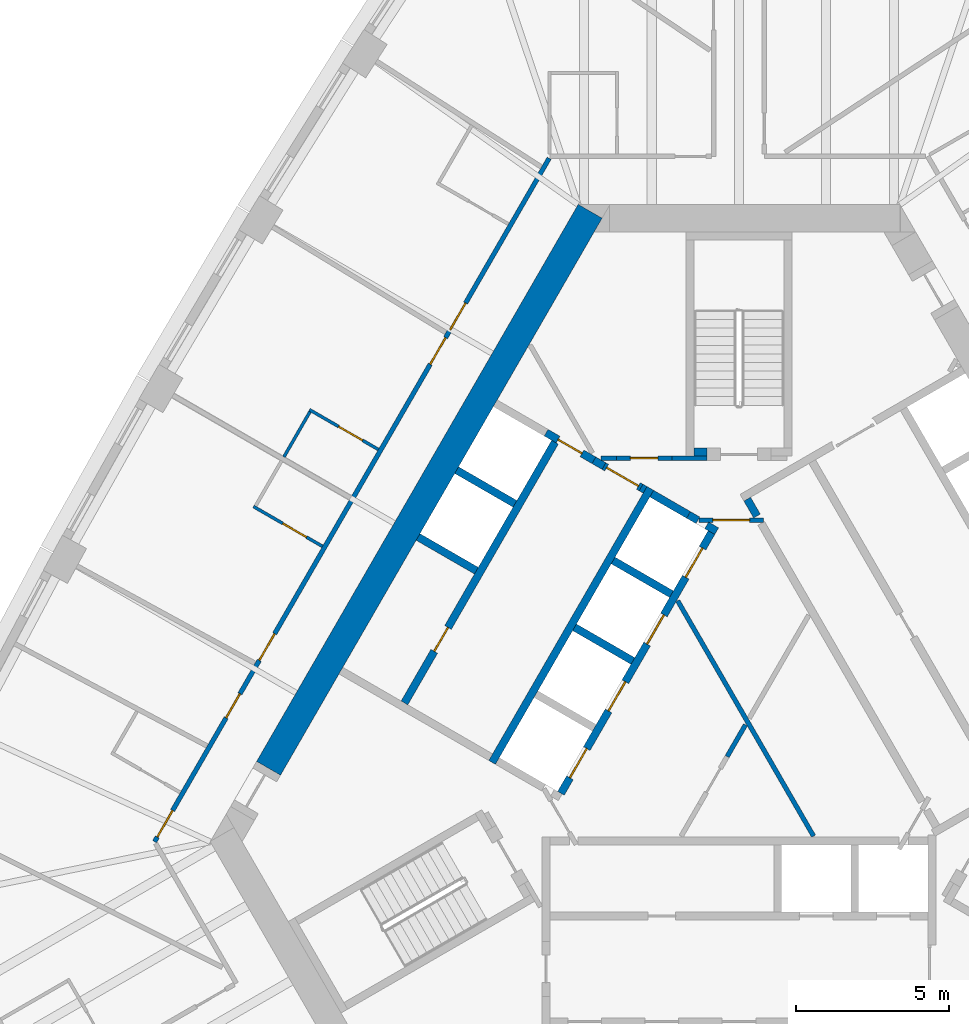
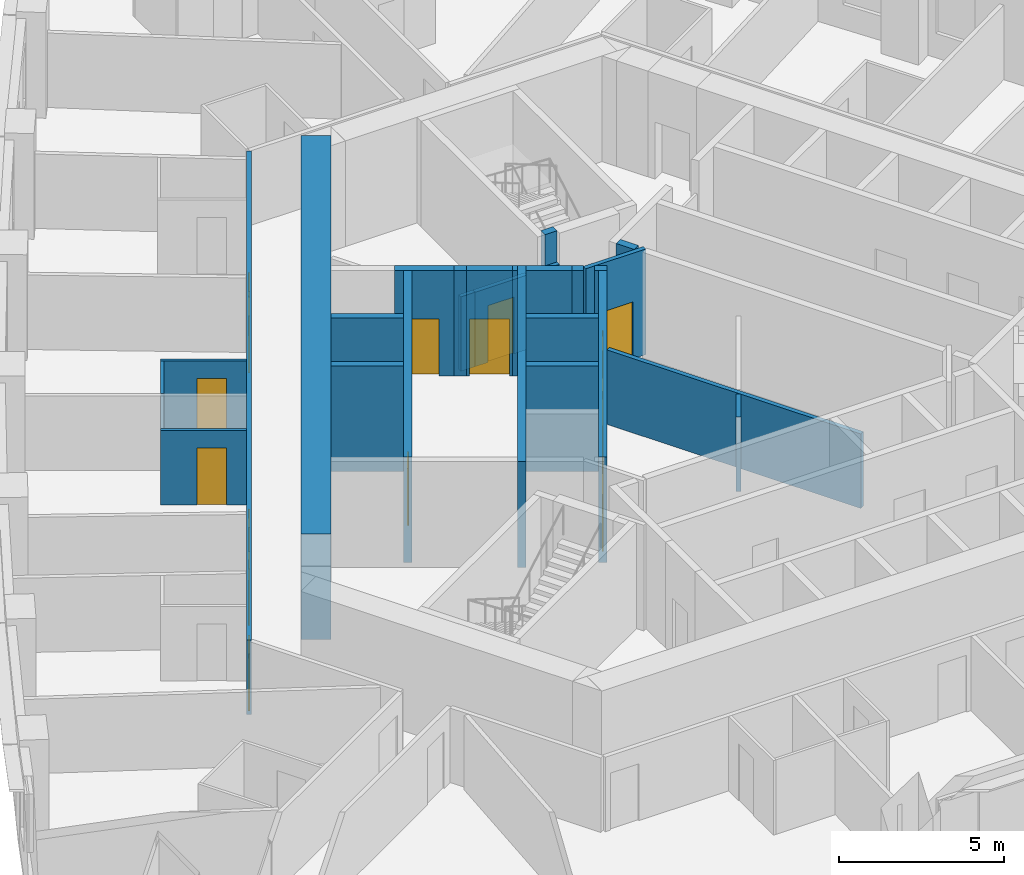
# One storey, part 6 of 13: 27 walls, 16 doors, 16 openings.
"""IFC4 building model written with IfcOpenShell, lengths in metres."""

import ifcopenshell
import ifcopenshell.guid

model = None  # the IFC model being written
_history = None  # IfcOwnerHistory: only IFC2X3 demands one
_inside = {}  # id of a spatial element -> (the spatial element, [elements in it])
_under = {}  # id of a project, library or spatial element -> (it, [spatial elements below it])
_declared = {}  # id of a project -> (the project, [libraries it declares])
_typed = {}  # id of a type object -> (the type object, [elements of that type])
_made_of = {}  # id of a material, layer set ... -> (it, [elements and type objects made of it])


def new_model(schema):
    """Start an empty IFC model of exactly this schema.

    Asked for "IFC4X3", IfcOpenShell would pick the latest addendum, in which some entities
    have other attributes; the version numbers below select the first issue.
    IFC2X3 requires an IfcOwnerHistory on every rooted entity: one is made here for all.
    """
    global model, _history
    if schema == "IFC4X3":
        model = ifcopenshell.file(schema_version=(4, 3, 0, 0))
    else:
        model = ifcopenshell.file(schema=schema)
    _inside.clear()
    _under.clear()
    _declared.clear()
    _typed.clear()
    _made_of.clear()
    _history = None
    if model.schema == "IFC2X3":
        org = make("IfcOrganization", Name="unknown")
        user = make(
            "IfcPersonAndOrganization",
            ThePerson=make("IfcPerson", FamilyName="unknown"),
            TheOrganization=org,
        )
        app = make(
            "IfcApplication",
            ApplicationDeveloper=org,
            Version="unknown",
            ApplicationFullName="unknown",
            ApplicationIdentifier="unknown",
        )
        _history = make(
            "IfcOwnerHistory",
            OwningUser=user,
            OwningApplication=app,
            ChangeAction="ADDED",
            CreationDate=0,
        )
    return model


def make(cls, **values):
    """One entity of the class cls with the attributes given. An attribute that is None is left unset."""
    return model.create_entity(
        cls, **{name: value for name, value in values.items() if value is not None}
    )


def rooted(cls, **values):
    """An entity with a GlobalId (a new one), such as an element, a storey or a relation."""
    return make(cls, GlobalId=ifcopenshell.guid.new(), OwnerHistory=_history, **values)


def si_unit(unit_type, name, prefix=None):
    """IfcSIUnit, for example si_unit("LENGTHUNIT", "METRE", prefix="MILLI")."""
    return make("IfcSIUnit", UnitType=unit_type, Prefix=prefix, Name=name)


def assignment(units):
    """IfcUnitAssignment: the units of a project."""
    return None if units is None else make("IfcUnitAssignment", Units=units)


def point(xyz):
    """IfcCartesianPoint."""
    return None if xyz is None else make("IfcCartesianPoint", Coordinates=xyz)


def direction(xyz):
    """IfcDirection."""
    return None if xyz is None else make("IfcDirection", DirectionRatios=xyz)


def frame(location, z_axis=None, x_axis=None):
    """IfcAxis2Placement3D, a coordinate frame: its origin and axes. An axis left out is left unset."""
    return make(
        "IfcAxis2Placement3D",
        Location=point(location),
        Axis=direction(z_axis),
        RefDirection=direction(x_axis),
    )


def frame_2d(location, x_axis=None):
    """IfcAxis2Placement2D, a coordinate frame in the plane: its origin and x axis."""
    return make(
        "IfcAxis2Placement2D", Location=point(location), RefDirection=direction(x_axis)
    )


def origin():
    """The frame at (0, 0, 0) with its axes left unset."""
    return frame((0.0, 0.0, 0.0))


def place(relative_to, where):
    """IfcLocalPlacement: puts the frame where relative to a parent placement (None: the world)."""
    return make(
        "IfcLocalPlacement", PlacementRelTo=relative_to, RelativePlacement=where
    )


def context(
    kind, dimensions, precision=None, world=None, true_north=None, identifier=None
):
    """IfcGeometricRepresentationContext, for example the 3D "Model" context."""
    return make(
        "IfcGeometricRepresentationContext",
        ContextIdentifier=identifier,
        ContextType=kind,
        CoordinateSpaceDimension=dimensions,
        Precision=precision,
        WorldCoordinateSystem=world,
        TrueNorth=true_north,
    )


def subcontext(parent, identifier, kind, view, scale=None):
    """IfcGeometricRepresentationSubContext, for example "Body" below "Model"."""
    return make(
        "IfcGeometricRepresentationSubContext",
        ContextIdentifier=identifier,
        ContextType=kind,
        ParentContext=parent,
        TargetScale=scale,
        TargetView=view,
    )


def project(units=None, contexts=None):
    """IfcProject with its units and contexts."""
    return rooted(
        "IfcProject",
        Name="project",
        RepresentationContexts=contexts,
        UnitsInContext=assignment(units),
    )


def spatial(cls, under=None, at=None, **own):
    """A site, building, storey or space (cls), placed at a placement, below another one or the project."""
    s = rooted(cls, ObjectPlacement=at, **own)
    if under is not None:
        _under.setdefault(under.id(), (under, []))[1].append(s)
    return s


def polyline(points):
    """IfcPolyline through the points."""
    return make("IfcPolyline", Points=[point(p) for p in points])


def profile(cls, at=None, kind="AREA", **sizes):
    """A parametric profile (cls). Its sizes go by their IFC names, for example OverallWidth=200.0."""
    return make(cls, ProfileType=kind, Position=at, **sizes)


def rectangle(**sizes):
    """IfcRectangleProfileDef."""
    return profile("IfcRectangleProfileDef", **sizes)


def outline(outer, holes=None, kind="AREA"):
    """IfcArbitraryClosedProfileDef: a profile drawn as a closed curve; with holes, ...WithVoids."""
    if holes is None:
        return make("IfcArbitraryClosedProfileDef", ProfileType=kind, OuterCurve=outer)
    return make(
        "IfcArbitraryProfileDefWithVoids",
        ProfileType=kind,
        OuterCurve=outer,
        InnerCurves=holes,
    )


def extrude(swept, where, along, depth):
    """IfcExtrudedAreaSolid: the profile swept, set in the frame where, extruded along a direction by depth."""
    return make(
        "IfcExtrudedAreaSolid",
        SweptArea=swept,
        Position=where,
        ExtrudedDirection=direction(along),
        Depth=depth,
    )


def shape(context_of_items, identifier, shape_type, items):
    """IfcShapeRepresentation: the items that make up one representation, for example the "Body"."""
    return make(
        "IfcShapeRepresentation",
        ContextOfItems=context_of_items,
        RepresentationIdentifier=identifier,
        RepresentationType=shape_type,
        Items=items,
    )


def material(Name=None, Category=None):
    """IfcMaterial."""
    return make("IfcMaterial", Name=Name, Category=Category)


def layer(
    of_material, thickness, ventilated=None, Name=None, Category=None, Priority=None
):
    """IfcMaterialLayer: one layer of a wall or slab, of a material (None: an air gap)."""
    return make(
        "IfcMaterialLayer",
        Material=of_material,
        LayerThickness=thickness,
        IsVentilated=ventilated,
        Name=Name,
        Category=Category,
        Priority=Priority,
    )


def layer_set(layers, Name=None):
    """IfcMaterialLayerSet."""
    return make("IfcMaterialLayerSet", MaterialLayers=layers, LayerSetName=Name)


def made_of(thing, what):
    """Note that an element or type object is made of a material, layer set ...; save() writes the relation."""
    if what is not None:
        _made_of.setdefault(what.id(), (what, []))[1].append(thing)
    return thing


def type_object(cls, material=None, **own):
    """A type object (cls), such as IfcWallType, which elements share."""
    return made_of(rooted(cls, **own), material)


def element(
    cls,
    number,
    at=None,
    inside=None,
    cuts=None,
    type_object=None,
    material=None,
    context=None,
    identifier="Body",
    shape_type=None,
    held_by="IfcProductDefinitionShape",
    body=None,
    shapes=None,
    **own,
):
    """One element of the class cls, such as IfcWall. Its Tag is "e" and its number.

    at: its placement. inside: the storey or other place that contains it. cuts: it is an
    opening in that element (IfcRelVoidsElement). A single representation is given by context,
    identifier, shape_type and body (its items); several are given by shapes. held_by: the class
    of the entity that holds the representations. save() writes the other relations.
    """
    e = rooted(cls, Tag="e%d" % number, ObjectPlacement=at, **own)
    if body is not None:
        shapes = [shape(context, identifier, shape_type, body)]
    if shapes is not None:
        e.Representation = make(held_by, Representations=shapes)
    if inside is not None:
        _inside.setdefault(inside.id(), (inside, []))[1].append(e)
    if cuts is not None:
        rooted(
            "IfcRelVoidsElement", RelatingBuildingElement=cuts, RelatedOpeningElement=e
        )
    if type_object is not None:
        _typed.setdefault(type_object.id(), (type_object, []))[1].append(e)
    return made_of(e, material)


def fill(opening, filler):
    """IfcRelFillsElement: the door or window that sits in an opening."""
    return rooted(
        "IfcRelFillsElement",
        RelatingOpeningElement=opening,
        RelatedBuildingElement=filler,
    )


def aggregate(whole, parts):
    """IfcRelAggregates: a whole, such as a stair, and the parts it consists of."""
    return rooted("IfcRelAggregates", RelatingObject=whole, RelatedObjects=parts)


def save(model, path):
    """Write the relations noted so far, then the file.

    IfcRelAggregates (storeys below a building ...), IfcRelContainedInSpatialStructure (elements
    in a storey), IfcRelDefinesByType, IfcRelAssociatesMaterial and IfcRelDeclares: one each for
    every whole, place, type object, material and project.
    """
    for whole, parts in _under.values():
        aggregate(whole, parts)
    for where, things in _inside.values():
        rooted(
            "IfcRelContainedInSpatialStructure",
            RelatedElements=things,
            RelatingStructure=where,
        )
    for kind, things in _typed.values():
        rooted("IfcRelDefinesByType", RelatedObjects=things, RelatingType=kind)
    for what, things in _made_of.values():
        rooted("IfcRelAssociatesMaterial", RelatedObjects=things, RelatingMaterial=what)
    for by, libraries in _declared.values():
        rooted("IfcRelDeclares", RelatingContext=by, RelatedDefinitions=libraries)
    model.write(path)


model = new_model("IFC4")

# Units and contexts
model_context = context("Model", 3, precision=1e-05, world=origin(), true_north=direction((0.0, 1.0)))
body_context = subcontext(model_context, "Body", "Model", "MODEL_VIEW")
ifc_project = project(units=[si_unit("LENGTHUNIT", "METRE"), si_unit("AREAUNIT", "SQUARE_METRE"), si_unit("VOLUMEUNIT", "CUBIC_METRE"), si_unit("PLANEANGLEUNIT", "RADIAN"), si_unit("MASSUNIT", "GRAM", prefix="KILO")], contexts=[model_context])

# Site, building, storey
site_placement = place(None, origin())
site = spatial("IfcSite", under=ifc_project, at=site_placement, CompositionType="ELEMENT")
building_placement = place(site_placement, origin())
building = spatial("IfcBuilding", under=site, at=building_placement, Name="Mestral Congress Tower", CompositionType="ELEMENT")
storey_placement = place(building_placement, frame((0.0, 0.0, 114.89990234375)))
storey = spatial("IfcBuildingStorey", under=building, at=storey_placement, Name="L27", CompositionType="ELEMENT", Elevation=114.89990234375)

# Walls
ifc_material_1 = material(Name="Fire-rated board partition")
ifc_layer_1 = layer(ifc_material_1, 0.14990234375)
ifc_layer_set_1 = layer_set([ifc_layer_1], Name="Fire-rated board partition")
wall_type_1 = type_object("IfcWallType", Name="Core partition 150", PredefinedType="PARTITIONING", material=ifc_layer_set_1)
wall_1_placement = place(storey_placement, frame((-2.195068359375, 8.62548828125, 0.0), z_axis=(0.0, 0.0, 1.0), x_axis=(1.0, 0.0, 0.0)))
element("IfcWall", 1, at=wall_1_placement, inside=storey, type_object=wall_type_1, Name="L27 core wall", PredefinedType="PARTITIONING", context=body_context, shape_type="SweptSolid", body=[
    extrude(rectangle(XDim=1.14501953125, YDim=0.14990234375, at=frame_2d((0.572509765625, 0.0))), origin(), (0.0, 0.0, 1.0), 2.75),
])
wall_2_placement = place(storey_placement, frame((-4.497802734375, 8.625244140625, 0.0), z_axis=(0.0, 0.0, 1.0), x_axis=(1.0, 0.0, 0.0)))
element("IfcWall", 2, at=wall_2_placement, inside=storey, type_object=wall_type_1, Name="L27 core wall", PredefinedType="PARTITIONING", context=body_context, shape_type="SweptSolid", body=[
    extrude(rectangle(XDim=0.50244140625, YDim=0.14990234375, at=frame_2d((0.251220703125, 0.0))), origin(), (0.0, 0.0, 1.0), 2.75),
])
wall_3_placement = place(storey_placement, frame((2.435302734375, -3.71826171875, 0.0), z_axis=(0.0, 0.0, 1.0), x_axis=(-0.499985176046, 0.866033962229, 0.0)))
element("IfcWall", 3, at=wall_3_placement, inside=storey, type_object=wall_type_1, Name="L27 core wall", PredefinedType="PARTITIONING", context=body_context, shape_type="SweptSolid", body=[
    extrude(rectangle(XDim=8.875244140625, YDim=0.14990234375, at=frame_2d((4.4375, 0.0))), origin(), (0.0, 0.0, 1.0), 2.75),
])
wall_4_placement = place(storey_placement, frame((-0.38720703125, -1.12060546875, 0.0), z_axis=(0.0, 0.0, 1.0), x_axis=(0.500057179532, 0.865992388649, 0.0)))
element("IfcWall", 4, at=wall_4_placement, inside=storey, type_object=wall_type_1, Name="L27 core wall", PredefinedType="PARTITIONING", context=body_context, shape_type="SweptSolid", body=[
    extrude(rectangle(XDim=1.199462890625, YDim=0.14990234375, at=frame_2d((0.599609375, 0.0))), origin(), (0.0, 0.0, 1.0), 2.75),
])

# Wall, opening, door
wall_5_placement = place(storey_placement, frame((-2.1953125, 8.625, 0.0), z_axis=(0.0, 0.0, 1.0), x_axis=(-1.0, 0.0, 0.0)))
wall_5 = element("IfcWall", 5, at=wall_5_placement, inside=storey, type_object=wall_type_1, Name="L27 door wall", PredefinedType="PARTITIONING", context=body_context, shape_type="SweptSolid", body=[
    extrude(rectangle(XDim=1.7998046875, YDim=0.14990234375, at=frame_2d((0.89990234375, 0.0))), origin(), (0.0, 0.0, 1.0), 2.75),
])
opening_1_placement = place(wall_5_placement, frame((0.449951171875, 0.0, 0.0)))
opening_1 = element("IfcOpeningElement", 6, at=opening_1_placement, cuts=wall_5, Name="Opening TD2", PredefinedType="OPENING", context=body_context, shape_type="SweptSolid", body=[
    extrude(rectangle(XDim=0.89990234375, YDim=2.10009765625, at=frame_2d((0.449951171875, 1.050048828125))), frame((0.0, 0.0849609375, 0.0), z_axis=(0.0, -1.0, 0.0), x_axis=(1.0, 0.0, 0.0)), (0.0, 0.0, 1.0), 0.169921875),
])
ifc_material_2 = material(Name="Fire-rated steel door set", Category="steel")
door_type_1 = type_object("IfcDoorType", Name="Core door SR 900x2100", OperationType="SINGLE_SWING_LEFT", PredefinedType="DOOR", material=ifc_material_2)
door_1_placement = place(opening_1_placement, origin())
door_1 = element("IfcDoor", 7, at=door_1_placement, inside=storey, type_object=door_type_1, Name="Door TD2", OperationType="SINGLE_SWING_LEFT", OverallHeight=2.10009765625, OverallWidth=0.89990234375, PredefinedType="DOOR", context=body_context, shape_type="SweptSolid", body=[
    extrude(rectangle(XDim=0.89990234375, YDim=2.10009765625, at=frame_2d((0.449951171875, 1.050048828125))), frame((0.0, 0.02490234375, 0.0), z_axis=(0.0, -1.0, 0.0), x_axis=(1.0, 0.0, 0.0)), (0.0, 0.0, 1.0), 0.050048828125),
])
fill(opening_1, door_1)

# Wall
ifc_material_3 = material(Name="Concrete C60/75", Category="concrete")
ifc_layer_2 = layer(ifc_material_3, 0.89990234375)
ifc_layer_set_2 = layer_set([ifc_layer_2], Name="Concrete C60/75")
wall_type_2 = type_object("IfcWallType", Name="Core wall RC 900", PredefinedType="SOLIDWALL", material=ifc_layer_set_2)
wall_6_placement = place(storey_placement, frame((-15.359619140625, -1.50341796875, 0.0), z_axis=(0.0, 0.0, 1.0), x_axis=(0.50000389221, 0.866023156604, 0.0)))
element("IfcWall", 8, at=wall_6_placement, inside=storey, type_object=wall_type_2, Name="L27 core wall", PredefinedType="SOLIDWALL", context=body_context, shape_type="SweptSolid", body=[
    extrude(rectangle(XDim=21.000244140625, YDim=0.89990234375, at=frame_2d((10.5, 0.0))), origin(), (0.0, 0.0, 1.0), 3.900146484375),
])

# Wall, opening, door
ifc_material_4 = material(Name="Gypsum board partition on metal studs with mineral wool", Category="composite")
ifc_layer_3 = layer(ifc_material_4, 0.10009765625)
ifc_layer_set_3 = layer_set([ifc_layer_3], Name="Gypsum board partition on metal studs with mineral wool")
wall_type_3 = type_object("IfcWallType", Name="Hotel partition wall 100", PredefinedType="PARTITIONING", material=ifc_layer_set_3)
wall_7_placement = place(storey_placement, frame((-11.7744140625, 8.90625, 0.0), z_axis=(0.0, 0.0, 1.0), x_axis=(-0.865997922154, 0.500047596559, 0.0)))
wall_7 = element("IfcWall", 9, at=wall_7_placement, inside=storey, type_object=wall_type_3, Name="L27-h-pod20a", PredefinedType="PARTITIONING", context=body_context, shape_type="SweptSolid", body=[
    extrude(rectangle(XDim=2.599853515625, YDim=0.10009765625, at=frame_2d((1.2998046875, 0.0))), origin(), (0.0, 0.0, 1.0), 2.75),
])
opening_2_placement = place(wall_7_placement, frame((0.60009765625, 0.0, 0.0)))
opening_2 = element("IfcOpeningElement", 10, at=opening_2_placement, cuts=wall_7, Name="Opening H08-036", PredefinedType="OPENING", context=body_context, shape_type="SweptSolid", body=[
    extrude(rectangle(XDim=0.89990234375, YDim=2.10009765625, at=frame_2d((0.449951171875, 1.050048828125))), frame((0.0, 0.06005859375, 0.0), z_axis=(0.0, -1.0, 0.0), x_axis=(1.0, 0.0, 0.0)), (0.0, 0.0, 1.0), 0.1201171875),
])
ifc_material_5 = material(Name="Timber veneer door leaf in timber frame", Category="wood")
door_type_2 = type_object("IfcDoorType", Name="Bathroom door 900", OperationType="SINGLE_SWING_LEFT", PredefinedType="DOOR", material=ifc_material_5)
door_2_placement = place(opening_2_placement, origin())
door_2 = element("IfcDoor", 11, at=door_2_placement, inside=storey, type_object=door_type_2, Name="L27-h-d036", OperationType="SINGLE_SWING_LEFT", OverallHeight=2.10009765625, OverallWidth=0.89990234375, PredefinedType="DOOR", context=body_context, shape_type="SweptSolid", body=[
    extrude(rectangle(XDim=0.89990234375, YDim=2.10009765625, at=frame_2d((0.449951171875, 1.050048828125))), frame((0.0, 0.02490234375, 0.0), z_axis=(0.0, -1.0, 0.0), x_axis=(1.0, 0.0, 0.0)), (0.0, 0.0, 1.0), 0.050048828125),
])
fill(opening_2, door_2)

# Wall
wall_8_placement = place(storey_placement, frame((-14.0078125, 10.137939453125, 0.0), z_axis=(0.0, 0.0, 1.0), x_axis=(-0.499892348375, -0.866087547558, 0.0)))
element("IfcWall", 12, at=wall_8_placement, inside=storey, type_object=wall_type_3, Name="L27-h-pod20b", PredefinedType="PARTITIONING", context=body_context, shape_type="SweptSolid", body=[
    extrude(rectangle(XDim=1.699951171875, YDim=0.10009765625, at=frame_2d((0.85009765625, 0.0))), origin(), (0.0, 0.0, 1.0), 2.75),
])

# Wall, opening, door
wall_9_placement = place(storey_placement, frame((-15.851806640625, 7.0439453125, 0.0), z_axis=(0.0, 0.0, 1.0), x_axis=(0.866021400173, -0.500006934395, 0.0)))
wall_9 = element("IfcWall", 13, at=wall_9_placement, inside=storey, type_object=wall_type_3, Name="L27-h-pod21a", PredefinedType="PARTITIONING", context=body_context, shape_type="SweptSolid", body=[
    extrude(rectangle(XDim=2.60009765625, YDim=0.10009765625, at=frame_2d((1.300048828125, 0.0))), origin(), (0.0, 0.0, 1.0), 2.75),
])
opening_3_placement = place(wall_9_placement, frame((1.10009765625, 0.0, 0.0)))
opening_3 = element("IfcOpeningElement", 14, at=opening_3_placement, cuts=wall_9, Name="Opening H08-038", PredefinedType="OPENING", context=body_context, shape_type="SweptSolid", body=[
    extrude(rectangle(XDim=0.89990234375, YDim=2.10009765625, at=frame_2d((0.449951171875, 1.050048828125))), frame((0.0, 0.06005859375, 0.0), z_axis=(0.0, -1.0, 0.0), x_axis=(1.0, 0.0, 0.0)), (0.0, 0.0, 1.0), 0.1201171875),
])
door_3_placement = place(opening_3_placement, origin())
door_3 = element("IfcDoor", 15, at=door_3_placement, inside=storey, type_object=door_type_2, Name="L27-h-d038", OperationType="SINGLE_SWING_RIGHT", OverallHeight=2.10009765625, OverallWidth=0.89990234375, PredefinedType="DOOR", context=body_context, shape_type="SweptSolid", body=[
    extrude(rectangle(XDim=0.89990234375, YDim=2.10009765625, at=frame_2d((0.449951171875, 1.050048828125))), frame((0.0, 0.02490234375, 0.0), z_axis=(0.0, -1.0, 0.0), x_axis=(1.0, 0.0, 0.0)), (0.0, 0.0, 1.0), 0.050048828125),
])
fill(opening_3, door_3)

# Wall, openings, doors
ifc_layer_4 = layer(ifc_material_4, 0.14990234375)
ifc_layer_set_4 = layer_set([ifc_layer_4], Name="Gypsum board partition on metal studs with mineral wool")
wall_type_4 = type_object("IfcWallType", Name="Hotel partition wall 150", PredefinedType="PARTITIONING", material=ifc_layer_set_4)
wall_10_placement = place(storey_placement, frame((-19.081298828125, -3.89990234375, 0.0), z_axis=(0.0, 0.0, 1.0), x_axis=(0.499998313975, 0.866026377209, 0.0)))
wall_10 = element("IfcWall", 16, at=wall_10_placement, inside=storey, type_object=wall_type_4, Name="L27-h-cw08", PredefinedType="PARTITIONING", context=body_context, shape_type="SweptSolid", body=[
    extrude(rectangle(XDim=25.76611328125, YDim=0.14990234375, at=frame_2d((12.883056640625, 0.0))), origin(), (0.0, 0.0, 1.0), 2.75),
])
opening_4_placement = place(wall_10_placement, frame((19.30615234375, 0.0, 0.0)))
opening_4 = element("IfcOpeningElement", 17, at=opening_4_placement, cuts=wall_10, Name="Opening H08-033", PredefinedType="OPENING", context=body_context, shape_type="SweptSolid", body=[
    extrude(rectangle(XDim=1.0, YDim=2.10009765625, at=frame_2d((0.5, 1.050048828125))), frame((0.0, 0.0849609375, 0.0), z_axis=(0.0, -1.0, 0.0), x_axis=(1.0, 0.0, 0.0)), (0.0, 0.0, 1.0), 0.169921875),
])
opening_5_placement = place(wall_10_placement, frame((17.99951171875, 0.0, 0.0)))
opening_5 = element("IfcOpeningElement", 18, at=opening_5_placement, cuts=wall_10, Name="Opening H08-035", PredefinedType="OPENING", context=body_context, shape_type="SweptSolid", body=[
    extrude(rectangle(XDim=1.0, YDim=2.10009765625, at=frame_2d((0.5, 1.050048828125))), frame((0.0, 0.0849609375, 0.0), z_axis=(0.0, -1.0, 0.0), x_axis=(1.0, 0.0, 0.0)), (0.0, 0.0, 1.0), 0.169921875),
])
opening_6_placement = place(wall_10_placement, frame((6.837890625, 0.0, 0.0)))
opening_6 = element("IfcOpeningElement", 19, at=opening_6_placement, cuts=wall_10, Name="Opening H08-037", PredefinedType="OPENING", context=body_context, shape_type="SweptSolid", body=[
    extrude(rectangle(XDim=1.0, YDim=2.10009765625, at=frame_2d((0.5, 1.050048828125))), frame((0.0, 0.0849609375, 0.0), z_axis=(0.0, -1.0, 0.0), x_axis=(1.0, 0.0, 0.0)), (0.0, 0.0, 1.0), 0.169921875),
])
opening_7_placement = place(wall_10_placement, frame((4.674072265625, 0.0, 0.0)))
opening_7 = element("IfcOpeningElement", 20, at=opening_7_placement, cuts=wall_10, Name="Opening H08-039", PredefinedType="OPENING", context=body_context, shape_type="SweptSolid", body=[
    extrude(rectangle(XDim=0.89990234375, YDim=2.10009765625, at=frame_2d((0.449951171875, 1.050048828125))), frame((0.0, 0.0849609375, 0.0), z_axis=(0.0, -1.0, 0.0), x_axis=(1.0, 0.0, 0.0)), (0.0, 0.0, 1.0), 0.169921875),
])
opening_8_placement = place(wall_10_placement, frame((0.179931640625, 0.0, 0.0)))
opening_8 = element("IfcOpeningElement", 21, at=opening_8_placement, cuts=wall_10, Name="Opening H08-040", PredefinedType="OPENING", context=body_context, shape_type="SweptSolid", body=[
    extrude(rectangle(XDim=1.0, YDim=2.10009765625, at=frame_2d((0.5, 1.050048828125))), frame((0.0, 0.0849609375, 0.0), z_axis=(0.0, -1.0, 0.0), x_axis=(1.0, 0.0, 0.0)), (0.0, 0.0, 1.0), 0.169921875),
])
ifc_material_6 = material(Name="Timber veneer door leaf in metal frame", Category="wood")
door_type_3 = type_object("IfcDoorType", Name="Guest room entrance door 1000", OperationType="SINGLE_SWING_LEFT", PredefinedType="DOOR", material=ifc_material_6)
door_4_placement = place(opening_4_placement, origin())
door_4 = element("IfcDoor", 22, at=door_4_placement, inside=storey, type_object=door_type_3, Name="L27-h-d033", OperationType="SINGLE_SWING_LEFT", OverallHeight=2.10009765625, OverallWidth=1.0, PredefinedType="DOOR", context=body_context, shape_type="SweptSolid", body=[
    extrude(rectangle(XDim=1.0, YDim=2.10009765625, at=frame_2d((0.5, 1.050048828125))), frame((0.0, 0.02490234375, 0.0), z_axis=(0.0, -1.0, 0.0), x_axis=(1.0, 0.0, 0.0)), (0.0, 0.0, 1.0), 0.050048828125),
])
fill(opening_4, door_4)
door_5_placement = place(opening_5_placement, origin())
door_5 = element("IfcDoor", 23, at=door_5_placement, inside=storey, type_object=door_type_3, Name="L27-h-d035", OperationType="SINGLE_SWING_RIGHT", OverallHeight=2.10009765625, OverallWidth=1.0, PredefinedType="DOOR", context=body_context, shape_type="SweptSolid", body=[
    extrude(rectangle(XDim=1.0, YDim=2.10009765625, at=frame_2d((0.5, 1.050048828125))), frame((0.0, 0.02490234375, 0.0), z_axis=(0.0, -1.0, 0.0), x_axis=(1.0, 0.0, 0.0)), (0.0, 0.0, 1.0), 0.050048828125),
])
fill(opening_5, door_5)
door_6_placement = place(opening_6_placement, origin())
door_6 = element("IfcDoor", 24, at=door_6_placement, inside=storey, type_object=door_type_3, Name="L27-h-d037", OperationType="SINGLE_SWING_LEFT", OverallHeight=2.10009765625, OverallWidth=1.0, PredefinedType="DOOR", context=body_context, shape_type="SweptSolid", body=[
    extrude(rectangle(XDim=1.0, YDim=2.10009765625, at=frame_2d((0.5, 1.050048828125))), frame((0.0, 0.02490234375, 0.0), z_axis=(0.0, -1.0, 0.0), x_axis=(1.0, 0.0, 0.0)), (0.0, 0.0, 1.0), 0.050048828125),
])
fill(opening_6, door_6)
door_7_placement = place(opening_8_placement, origin())
door_7 = element("IfcDoor", 25, at=door_7_placement, inside=storey, type_object=door_type_3, Name="L27-h-d040", OperationType="SINGLE_SWING_LEFT", OverallHeight=2.10009765625, OverallWidth=1.0, PredefinedType="DOOR", context=body_context, shape_type="SweptSolid", body=[
    extrude(rectangle(XDim=1.0, YDim=2.10009765625, at=frame_2d((0.5, 1.050048828125))), frame((0.0, 0.02490234375, 0.0), z_axis=(0.0, -1.0, 0.0), x_axis=(1.0, 0.0, 0.0)), (0.0, 0.0, 1.0), 0.050048828125),
])
fill(opening_8, door_7)
door_type_4 = type_object("IfcDoorType", Name="Service room door 900", OperationType="SINGLE_SWING_LEFT", PredefinedType="DOOR", material=ifc_material_6)
door_8_placement = place(opening_7_placement, origin())
door_8 = element("IfcDoor", 26, at=door_8_placement, inside=storey, type_object=door_type_4, Name="L27-h-d039", OperationType="SINGLE_SWING_RIGHT", OverallHeight=2.10009765625, OverallWidth=0.89990234375, PredefinedType="DOOR", context=body_context, shape_type="SweptSolid", body=[
    extrude(rectangle(XDim=0.89990234375, YDim=2.10009765625, at=frame_2d((0.449951171875, 1.050048828125))), frame((0.0, 0.02490234375, 0.0), z_axis=(0.0, -1.0, 0.0), x_axis=(1.0, 0.0, 0.0)), (0.0, 0.0, 1.0), 0.050048828125),
])
fill(opening_7, door_8)

# Walls
ifc_layer_5 = layer(ifc_material_3, 0.25)
ifc_layer_set_5 = layer_set([ifc_layer_5], Name="Concrete C60/75")
wall_type_5 = type_object("IfcWallType", Name="Shaft wall RC 250", PredefinedType="SOLIDWALL", material=ifc_layer_set_5)
wall_11_placement = place(storey_placement, frame((0.268310546875, 7.28515625, 0.0), z_axis=(0.0, 0.0, 1.0), x_axis=(0.500098681536, -0.865968422476, 0.0)))
element("IfcWall", 27, at=wall_11_placement, inside=storey, type_object=wall_type_5, Name="L27 core wall", PredefinedType="SOLIDWALL", context=body_context, shape_type="SweptSolid", body=[
    extrude(rectangle(XDim=0.636474609375, YDim=0.25, at=frame_2d((0.318359375, 0.0))), origin(), (0.0, 0.0, 1.0), 3.900146484375),
])
wall_12_placement = place(storey_placement, frame((-8.06005859375, -1.310546875, 0.0), z_axis=(0.0, 0.0, 1.0), x_axis=(0.50000273126, 0.866023826885, 0.0)))
element("IfcWall", 28, at=wall_12_placement, inside=storey, type_object=wall_type_5, Name="L27 core wall", PredefinedType="SOLIDWALL", context=body_context, shape_type="SweptSolid", body=[
    extrude(rectangle(XDim=10.330078125, YDim=0.25, at=frame_2d((5.1650390625, 0.0))), origin(), (0.0, 0.0, 1.0), 3.900146484375),
])
wall_13_placement = place(storey_placement, frame((-1.34228515625, 6.5947265625, 0.0), z_axis=(0.0, 0.0, 1.0), x_axis=(-0.866046247233, 0.49996389635, 0.0)))
element("IfcWall", 29, at=wall_13_placement, inside=storey, type_object=wall_type_5, Name="L27 core wall", PredefinedType="SOLIDWALL", context=body_context, shape_type="SweptSolid", body=[
    extrude(rectangle(XDim=0.35009765625, YDim=0.25, at=frame_2d((0.175048828125, 0.0))), origin(), (0.0, 0.0, 1.0), 3.900146484375),
])
wall_14_placement = place(storey_placement, frame((-1.6474609375, 6.770751953125, 0.0), z_axis=(0.0, 0.0, 1.0), x_axis=(-0.865971728693, 0.500092956464, 0.0)))
element("IfcWall", 30, at=wall_14_placement, inside=storey, type_object=wall_type_5, Name="L27 core wall", PredefinedType="SOLIDWALL", context=body_context, shape_type="SweptSolid", body=[
    extrude(rectangle(XDim=1.387939453125, YDim=0.25, at=frame_2d((0.69384765625, 0.0))), origin(), (0.0, 0.0, 1.0), 3.900146484375),
])
wall_15_placement = place(storey_placement, frame((-0.7275390625, 6.23974609375, 0.0), z_axis=(0.0, 0.0, 1.0), x_axis=(-0.866088799389, 0.499890179513, 0.0)))
element("IfcWall", 31, at=wall_15_placement, inside=storey, type_object=wall_type_5, Name="L27 core wall", PredefinedType="SOLIDWALL", context=body_context, shape_type="SweptSolid", body=[
    extrude(rectangle(XDim=0.3779296875, YDim=0.25, at=frame_2d((0.18896484375, 0.0))), origin(), (0.0, 0.0, 1.0), 3.900146484375),
])
for number, where, z_axis, x_axis, name in (
    (32, (-2.2041015625, 4.182373046875, 0.0), (0.0, 0.0, 1.0), (-0.866008176907, 0.50002983664, 0.0), "L27 core wall"),
    (33, (-5.369384765625, 3.10009765625, 0.0), (0.0, 0.0, 1.0), (0.866008176907, -0.50002983664, 0.0), "L27 core wall"),
):
    element("IfcWall", number, at=place(storey_placement, frame(where, z_axis=z_axis, x_axis=x_axis)), inside=storey, type_object=wall_type_5, Name=name, PredefinedType="SOLIDWALL", context=body_context, shape_type="SweptSolid", body=[
        extrude(rectangle(XDim=2.199951171875, YDim=0.25, at=frame_2d((1.10009765625, 0.0))), origin(), (0.0, 0.0, 1.0), 3.900146484375),
    ])
wall_16_placement = place(storey_placement, origin())
element("IfcWall", 34, at=wall_16_placement, inside=storey, type_object=wall_type_5, Name="L27 core wall", PredefinedType="SOLIDWALL", context=body_context, shape_type="SweptSolid", body=[
    extrude(outline(polyline([(-3.12841796875, 7.4814453125), (-3.2587890625, 7.556640625), (-3.1337890625, 7.773193359375), (-3.00341796875, 7.697998046875), (-3.12841796875, 7.4814453125)])), origin(), (0.0, 0.0, 1.0), 3.900146484375),
])
for number, where, z_axis, x_axis, name in (
    (35, (-8.57373046875, 4.949951171875, 0.0), (0.0, 0.0, 1.0), (-0.866008176907, 0.50002983664, 0.0), "L27 core wall"),
    (36, (-7.313720703125, 7.13232421875, 0.0), (0.0, 0.0, 1.0), (-0.866008176907, 0.50002983664, 0.0), "L27 core wall"),
):
    element("IfcWall", number, at=place(storey_placement, frame(where, z_axis=z_axis, x_axis=x_axis)), inside=storey, type_object=wall_type_5, Name=name, PredefinedType="SOLIDWALL", context=body_context, shape_type="SweptSolid", body=[
        extrude(rectangle(XDim=2.199951171875, YDim=0.25, at=frame_2d((1.10009765625, 0.0))), origin(), (0.0, 0.0, 1.0), 3.900146484375),
    ])
wall_17_placement = place(storey_placement, frame((-4.40869140625, 8.364990234375, 0.0), z_axis=(0.0, 0.0, 1.0), x_axis=(-0.866057014183, 0.499945245186, 0.0)))
element("IfcWall", 37, at=wall_17_placement, inside=storey, type_object=wall_type_5, Name="L27 core wall", PredefinedType="SOLIDWALL", context=body_context, shape_type="SweptSolid", body=[
    extrude(rectangle(XDim=0.37939453125, YDim=0.25, at=frame_2d((0.189697265625, 0.0))), origin(), (0.0, 0.0, 1.0), 3.900146484375),
])

# Wall, opening, door
wall_18_placement = place(storey_placement, frame((-6.0078125, 9.14404296875, 0.0), z_axis=(0.0, 0.0, 1.0), x_axis=(-0.500006956611, -0.866021387346, 0.0)))
wall_18 = element("IfcWall", 38, at=wall_18_placement, inside=storey, type_object=wall_type_5, Name="L27 door wall", PredefinedType="SOLIDWALL", context=body_context, shape_type="SweptSolid", body=[
    extrude(rectangle(XDim=9.829833984375, YDim=0.25, at=frame_2d((4.9150390625, 0.0))), origin(), (0.0, 0.0, 1.0), 3.900146484375),
])
opening_9_placement = place(wall_18_placement, frame((6.985107421875, 0.0, 0.0)))
opening_9 = element("IfcOpeningElement", 39, at=opening_9_placement, cuts=wall_18, Name="Opening SR-NWA2", PredefinedType="OPENING", context=body_context, shape_type="SweptSolid", body=[
    extrude(rectangle(XDim=0.89990234375, YDim=2.10009765625, at=frame_2d((0.449951171875, 1.050048828125))), frame((0.0, 0.135009765625, 0.0), z_axis=(0.0, -1.0, 0.0), x_axis=(1.0, 0.0, 0.0)), (0.0, 0.0, 1.0), 0.27001953125),
])
door_9_placement = place(opening_9_placement, origin())
door_9 = element("IfcDoor", 40, at=door_9_placement, inside=storey, type_object=door_type_1, Name="Door SR-NWA2", OperationType="SINGLE_SWING_LEFT", OverallHeight=2.10009765625, OverallWidth=0.89990234375, PredefinedType="DOOR", context=body_context, shape_type="SweptSolid", body=[
    extrude(rectangle(XDim=0.89990234375, YDim=2.10009765625, at=frame_2d((0.449951171875, 1.050048828125))), frame((0.0, 0.02490234375, 0.0), z_axis=(0.0, -1.0, 0.0), x_axis=(1.0, 0.0, 0.0)), (0.0, 0.0, 1.0), 0.050048828125),
])
fill(opening_9, door_9)

# Wall, openings, doors
wall_19_placement = place(storey_placement, frame((-0.898193359375, 6.194091796875, 0.0), z_axis=(0.0, 0.0, 1.0), x_axis=(-0.499996202215, -0.866027596426, 0.0)))
wall_19 = element("IfcWall", 41, at=wall_19_placement, inside=storey, type_object=wall_type_5, Name="L27 door wall", PredefinedType="SOLIDWALL", context=body_context, shape_type="SweptSolid", body=[
    extrude(rectangle(XDim=9.830078125, YDim=0.25, at=frame_2d((4.9150390625, 0.0))), origin(), (0.0, 0.0, 1.0), 3.900146484375),
])
opening_10_placement = place(wall_19_placement, frame((0.5849609375, 0.0, 0.0)))
opening_10 = element("IfcOpeningElement", 42, at=opening_10_placement, cuts=wall_19, Name="Opening LD-NWB1", PredefinedType="OPENING", context=body_context, shape_type="SweptSolid", body=[
    extrude(rectangle(XDim=1.10009765625, YDim=2.10009765625, at=frame_2d((0.550048828125, 1.050048828125))), frame((0.0, 0.135009765625, 0.0), z_axis=(0.0, -1.0, 0.0), x_axis=(1.0, 0.0, 0.0)), (0.0, 0.0, 1.0), 0.27001953125),
])
opening_11_placement = place(wall_19_placement, frame((3.10498046875, 0.0, 0.0)))
opening_11 = element("IfcOpeningElement", 43, at=opening_11_placement, cuts=wall_19, Name="Opening LD-NWB2", PredefinedType="OPENING", context=body_context, shape_type="SweptSolid", body=[
    extrude(rectangle(XDim=1.10009765625, YDim=2.10009765625, at=frame_2d((0.550048828125, 1.050048828125))), frame((0.0, 0.135009765625, 0.0), z_axis=(0.0, -1.0, 0.0), x_axis=(1.0, 0.0, 0.0)), (0.0, 0.0, 1.0), 0.27001953125),
])
opening_12_placement = place(wall_19_placement, frame((5.625, 0.0, 0.0)))
opening_12 = element("IfcOpeningElement", 44, at=opening_12_placement, cuts=wall_19, Name="Opening LD-NWB3", PredefinedType="OPENING", context=body_context, shape_type="SweptSolid", body=[
    extrude(rectangle(XDim=1.10009765625, YDim=2.10009765625, at=frame_2d((0.550048828125, 1.050048828125))), frame((0.0, 0.135009765625, 0.0), z_axis=(0.0, -1.0, 0.0), x_axis=(1.0, 0.0, 0.0)), (0.0, 0.0, 1.0), 0.27001953125),
])
opening_13_placement = place(wall_19_placement, frame((8.14501953125, 0.0, 0.0)))
opening_13 = element("IfcOpeningElement", 45, at=opening_13_placement, cuts=wall_19, Name="Opening LD-NWB4", PredefinedType="OPENING", context=body_context, shape_type="SweptSolid", body=[
    extrude(rectangle(XDim=1.10009765625, YDim=2.10009765625, at=frame_2d((0.550048828125, 1.050048828125))), frame((0.0, 0.135009765625, 0.0), z_axis=(0.0, -1.0, 0.0), x_axis=(1.0, 0.0, 0.0)), (0.0, 0.0, 1.0), 0.27001953125),
])
door_type_5 = type_object("IfcDoorType", Name="Core door LD 1100x2100", OperationType="DOUBLE_DOOR_SLIDING", PredefinedType="DOOR", material=ifc_material_2)
door_10_placement = place(opening_10_placement, origin())
door_10 = element("IfcDoor", 46, at=door_10_placement, inside=storey, type_object=door_type_5, Name="Door LD-NWB1", OperationType="DOUBLE_DOOR_SLIDING", OverallHeight=2.10009765625, OverallWidth=1.10009765625, PredefinedType="DOOR", context=body_context, shape_type="SweptSolid", body=[
    extrude(rectangle(XDim=1.10009765625, YDim=2.10009765625, at=frame_2d((0.550048828125, 1.050048828125))), frame((0.0, 0.02490234375, 0.0), z_axis=(0.0, -1.0, 0.0), x_axis=(1.0, 0.0, 0.0)), (0.0, 0.0, 1.0), 0.050048828125),
])
fill(opening_10, door_10)
door_11_placement = place(opening_11_placement, origin())
door_11 = element("IfcDoor", 47, at=door_11_placement, inside=storey, type_object=door_type_5, Name="Door LD-NWB2", OperationType="DOUBLE_DOOR_SLIDING", OverallHeight=2.10009765625, OverallWidth=1.10009765625, PredefinedType="DOOR", context=body_context, shape_type="SweptSolid", body=[
    extrude(rectangle(XDim=1.10009765625, YDim=2.10009765625, at=frame_2d((0.550048828125, 1.050048828125))), frame((0.0, 0.02490234375, 0.0), z_axis=(0.0, -1.0, 0.0), x_axis=(1.0, 0.0, 0.0)), (0.0, 0.0, 1.0), 0.050048828125),
])
fill(opening_11, door_11)
door_12_placement = place(opening_12_placement, origin())
door_12 = element("IfcDoor", 48, at=door_12_placement, inside=storey, type_object=door_type_5, Name="Door LD-NWB3", OperationType="DOUBLE_DOOR_SLIDING", OverallHeight=2.10009765625, OverallWidth=1.10009765625, PredefinedType="DOOR", context=body_context, shape_type="SweptSolid", body=[
    extrude(rectangle(XDim=1.10009765625, YDim=2.10009765625, at=frame_2d((0.550048828125, 1.050048828125))), frame((0.0, 0.02490234375, 0.0), z_axis=(0.0, -1.0, 0.0), x_axis=(1.0, 0.0, 0.0)), (0.0, 0.0, 1.0), 0.050048828125),
])
fill(opening_12, door_12)
door_13_placement = place(opening_13_placement, origin())
door_13 = element("IfcDoor", 49, at=door_13_placement, inside=storey, type_object=door_type_5, Name="Door LD-NWB4", OperationType="DOUBLE_DOOR_SLIDING", OverallHeight=2.10009765625, OverallWidth=1.10009765625, PredefinedType="DOOR", context=body_context, shape_type="SweptSolid", body=[
    extrude(rectangle(XDim=1.10009765625, YDim=2.10009765625, at=frame_2d((0.550048828125, 1.050048828125))), frame((0.0, 0.02490234375, 0.0), z_axis=(0.0, -1.0, 0.0), x_axis=(1.0, 0.0, 0.0)), (0.0, 0.0, 1.0), 0.050048828125),
])
fill(opening_13, door_13)

# Wall, opening, door
wall_20_placement = place(storey_placement, frame((-4.40869140625, 8.364990234375, 0.0), z_axis=(0.0, 0.0, 1.0), x_axis=(0.866034573852, -0.49998411664, 0.0)))
wall_20 = element("IfcWall", 50, at=wall_20_placement, inside=storey, type_object=wall_type_5, Name="L27 door wall", PredefinedType="SOLIDWALL", context=body_context, shape_type="SweptSolid", body=[
    extrude(rectangle(XDim=1.39990234375, YDim=0.25, at=frame_2d((0.699951171875, 0.0))), origin(), (0.0, 0.0, 1.0), 3.900146484375),
])
opening_14_placement = place(wall_20_placement, frame((0.10009765625, 0.0, 0.0)))
opening_14 = element("IfcOpeningElement", 51, at=opening_14_placement, cuts=wall_20, Name="Opening LB2-WL2", PredefinedType="OPENING", context=body_context, shape_type="SweptSolid", body=[
    extrude(rectangle(XDim=1.199951171875, YDim=2.10009765625, at=frame_2d((0.60009765625, 1.050048828125))), frame((0.0, 0.135009765625, 0.0), z_axis=(0.0, -1.0, 0.0), x_axis=(1.0, 0.0, 0.0)), (0.0, 0.0, 1.0), 0.27001953125),
])
door_type_6 = type_object("IfcDoorType", Name="Core door LB 1200x2100", OperationType="SINGLE_SWING_LEFT", PredefinedType="DOOR", material=ifc_material_2)
door_14_placement = place(opening_14_placement, origin())
door_14 = element("IfcDoor", 52, at=door_14_placement, inside=storey, type_object=door_type_6, Name="Door LB2-WL2", OperationType="SINGLE_SWING_LEFT", OverallHeight=2.10009765625, OverallWidth=1.199951171875, PredefinedType="DOOR", context=body_context, shape_type="SweptSolid", body=[
    extrude(rectangle(XDim=1.199951171875, YDim=2.10009765625, at=frame_2d((0.60009765625, 1.050048828125))), frame((0.0, 0.02490234375, 0.0), z_axis=(0.0, -1.0, 0.0), x_axis=(1.0, 0.0, 0.0)), (0.0, 0.0, 1.0), 0.050048828125),
])
fill(opening_14, door_14)

wall_21_placement = place(storey_placement, frame((-4.7373046875, 8.5546875, 0.0), z_axis=(0.0, 0.0, 1.0), x_axis=(-0.865989075817, 0.500062916607, 0.0)))
wall_21 = element("IfcWall", 53, at=wall_21_placement, inside=storey, type_object=wall_type_5, Name="L27 door wall", PredefinedType="SOLIDWALL", context=body_context, shape_type="SweptSolid", body=[
    extrude(rectangle(XDim=1.800048828125, YDim=0.25, at=frame_2d((0.89990234375, 0.0))), origin(), (0.0, 0.0, 1.0), 3.900146484375),
])
opening_15_placement = place(wall_21_placement, frame((0.449951171875, 0.0, 0.0)))
opening_15 = element("IfcOpeningElement", 54, at=opening_15_placement, cuts=wall_21, Name="Opening SD-HUB3", PredefinedType="OPENING", context=body_context, shape_type="SweptSolid", body=[
    extrude(rectangle(XDim=0.89990234375, YDim=2.10009765625, at=frame_2d((0.449951171875, 1.050048828125))), frame((0.0, 0.135009765625, 0.0), z_axis=(0.0, -1.0, 0.0), x_axis=(1.0, 0.0, 0.0)), (0.0, 0.0, 1.0), 0.27001953125),
])
door_15_placement = place(opening_15_placement, origin())
door_15 = element("IfcDoor", 55, at=door_15_placement, inside=storey, type_object=door_type_1, Name="Door SD-HUB3", OperationType="SINGLE_SWING_LEFT", OverallHeight=2.10009765625, OverallWidth=0.89990234375, PredefinedType="DOOR", context=body_context, shape_type="SweptSolid", body=[
    extrude(rectangle(XDim=0.89990234375, YDim=2.10009765625, at=frame_2d((0.449951171875, 1.050048828125))), frame((0.0, 0.02490234375, 0.0), z_axis=(0.0, -1.0, 0.0), x_axis=(1.0, 0.0, 0.0)), (0.0, 0.0, 1.0), 0.050048828125),
])
fill(opening_15, door_15)

ifc_layer_6 = layer(ifc_material_3, 0.14990234375)
ifc_layer_set_6 = layer_set([ifc_layer_6], Name="Concrete C60/75")
wall_type_6 = type_object("IfcWallType", Name="Shaft wall RC 250 door-wall 150", PredefinedType="SOLIDWALL", material=ifc_layer_set_6)
wall_22_placement = place(storey_placement, frame((-1.303466796875, 6.60009765625, 0.0), z_axis=(0.0, 0.0, 1.0), x_axis=(1.0, 0.0, 0.0)))
wall_22 = element("IfcWall", 56, at=wall_22_placement, inside=storey, type_object=wall_type_6, Name="L27 door wall", PredefinedType="PARTITIONING", context=body_context, shape_type="SweptSolid", body=[
    extrude(rectangle(XDim=2.099853515625, YDim=0.14990234375, at=frame_2d((1.0498046875, 0.0))), origin(), (0.0, 0.0, 1.0), 3.900146484375),
])
opening_16_placement = place(wall_22_placement, frame((0.449951171875, 0.0, 0.0)))
opening_16 = element("IfcOpeningElement", 57, at=opening_16_placement, cuts=wall_22, Name="Opening CD2-HUB1", PredefinedType="OPENING", context=body_context, shape_type="SweptSolid", body=[
    extrude(rectangle(XDim=1.199951171875, YDim=2.10009765625, at=frame_2d((0.60009765625, 1.050048828125))), frame((0.0, 0.0849609375, 0.0), z_axis=(0.0, -1.0, 0.0), x_axis=(1.0, 0.0, 0.0)), (0.0, 0.0, 1.0), 0.169921875),
])
door_type_7 = type_object("IfcDoorType", Name="Core door CD 1200x2100", OperationType="SINGLE_SWING_LEFT", PredefinedType="DOOR", material=ifc_material_2)
door_16_placement = place(opening_16_placement, origin())
door_16 = element("IfcDoor", 58, at=door_16_placement, inside=storey, type_object=door_type_7, Name="Door CD2-HUB1", OperationType="SINGLE_SWING_LEFT", OverallHeight=2.10009765625, OverallWidth=1.199951171875, PredefinedType="DOOR", context=body_context, shape_type="SweptSolid", body=[
    extrude(rectangle(XDim=1.199951171875, YDim=2.10009765625, at=frame_2d((0.60009765625, 1.050048828125))), frame((0.0, 0.02490234375, 0.0), z_axis=(0.0, -1.0, 0.0), x_axis=(1.0, 0.0, 0.0)), (0.0, 0.0, 1.0), 0.050048828125),
])
fill(opening_16, door_16)

# Wall
ifc_layer_7 = layer(ifc_material_3, 0.25)
ifc_layer_set_7 = layer_set([ifc_layer_7], Name="Concrete C60/75")
wall_type_7 = type_object("IfcWallType", Name="Stair wall RC 250", PredefinedType="SOLIDWALL", material=ifc_layer_set_7)
wall_23_placement = place(storey_placement, frame((-1.47509765625, 8.824951171875, 0.0), z_axis=(0.0, 0.0, 1.0), x_axis=(1.0, 0.0, 0.0)))
element("IfcWall", 59, at=wall_23_placement, inside=storey, type_object=wall_type_7, Name="L27 core wall", PredefinedType="SOLIDWALL", context=body_context, shape_type="SweptSolid", body=[
    extrude(rectangle(XDim=0.425048828125, YDim=0.25, at=frame_2d((0.21240234375, 0.0))), origin(), (0.0, 0.0, 1.0), 3.900146484375),
])

save(model, "model.ifc")
